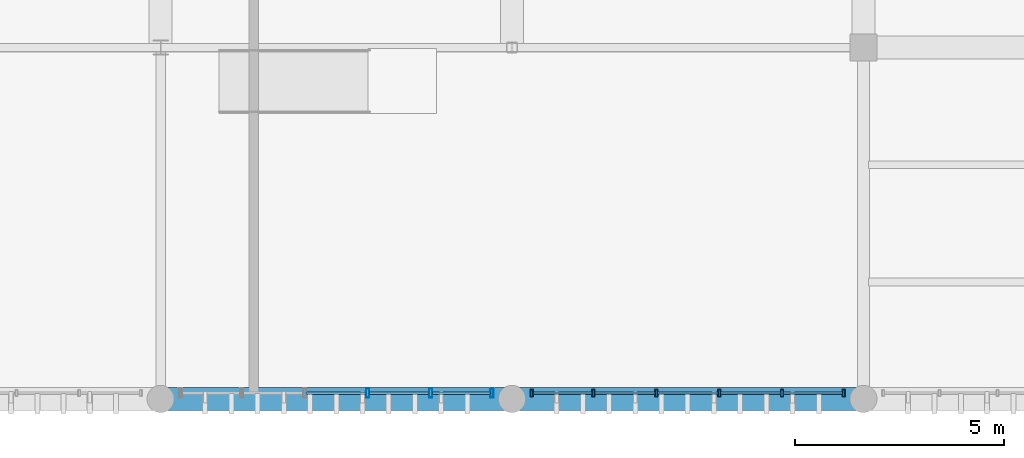
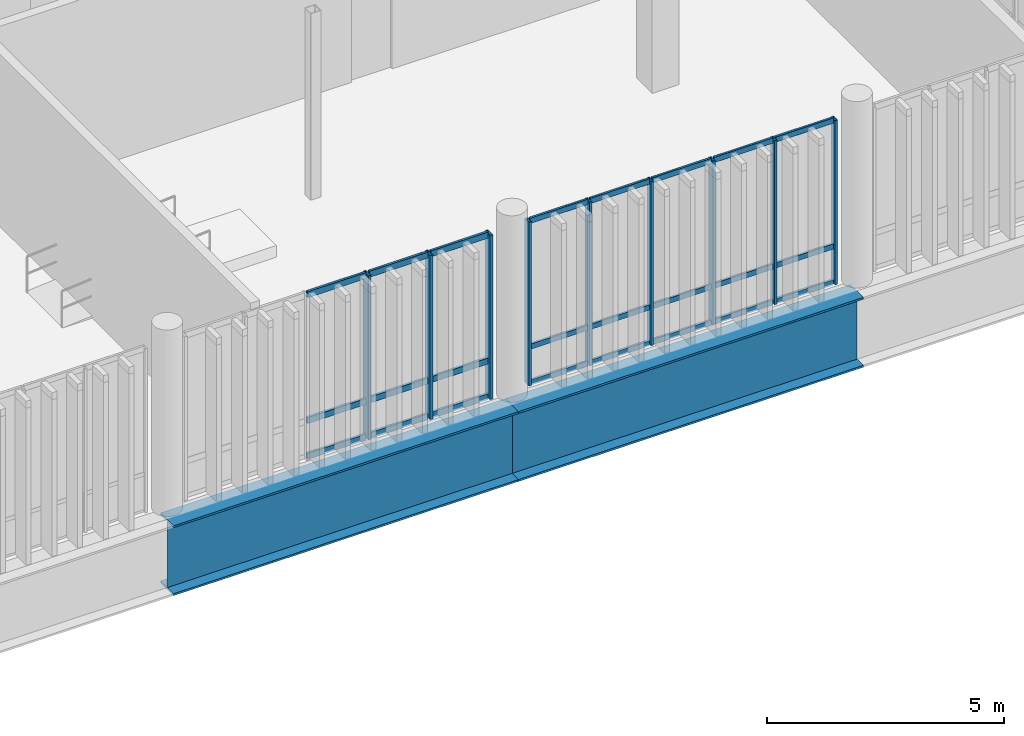
# One storey, part 10 of 81: 33 members, 2 beams, 2 elements without a shape of their own.
"""IFC4 building model written with IfcOpenShell, lengths in metres."""

from ifc_helpers import new_model, si_unit, direction, frame, origin_with_axes, origin_2d_with_axis, place, context, subcontext, project, spatial, hollow_rectangle, i_section, extrude, material, material_profile, profile_set, type_object, element, aggregate, save


model = new_model("IFC4")

# Units and contexts
model_context = context("Model", 3, precision=1e-05, world=origin_with_axes(), true_north=direction((0.0, 1.0)))
body_context = subcontext(model_context, "Body", "Model", "MODEL_VIEW")
ifc_project = project(units=[si_unit("LENGTHUNIT", "METRE"), si_unit("AREAUNIT", "SQUARE_METRE"), si_unit("VOLUMEUNIT", "CUBIC_METRE"), si_unit("PLANEANGLEUNIT", "RADIAN"), si_unit("MASSUNIT", "GRAM", prefix="KILO"), si_unit("THERMODYNAMICTEMPERATUREUNIT", "KELVIN")], contexts=[model_context])

# Site, building, storey
site_placement = place(None, origin_with_axes())
site = spatial("IfcSite", under=ifc_project, at=site_placement, CompositionType="ELEMENT")
building_placement = place(site_placement, origin_with_axes())
building = spatial("IfcBuilding", under=site, at=building_placement, Name="Montbau Bow Law Courts", CompositionType="ELEMENT")
storey_placement = place(building_placement, frame((0.0, 0.0, 24.9), z_axis=(0.0, 0.0, 1.0), x_axis=(1.0, 0.0, 0.0)))
storey = spatial("IfcBuildingStorey", under=building, at=storey_placement, Name="L05", CompositionType="ELEMENT", Elevation=24.9)

# Beams
ifc_material_1 = material(Name="Steel CSA G40.21 Grade 350WT (350 MPa)", Category="steel")
ifc_material_profile_1 = material_profile(ifc_material_1, i_section(OverallWidth=0.55, OverallDepth=1.8, WebThickness=0.022, FlangeThickness=0.05, at=origin_2d_with_axis()), Name="WWF1800X550", Category="Main", Priority=0)
ifc_profile_set_1 = profile_set([ifc_material_profile_1], Name="Steel CSA G40.21 Grade 350WT (350 MPa)")
beam_type = type_object("IfcBeamType", Name="B-TRG-01", PredefinedType="USERDEFINED", material=ifc_profile_set_1)
for number, where, z_axis, x_axis, name in (
    (1, (22.2, 30.6, 23.7), (1.0, 0.0, 0.0), (0.0, 1.0, 0.0), "TRG-L05-S0048:bm2_0051"),
    (2, (30.6, 30.6, 23.7), (1.0, 0.0, 0.0), (0.0, 1.0, 0.0), "TRG-L05-S0050:bm2_0053"),
):
    element("IfcBeam", number, at=place(None, frame(where, z_axis=z_axis, x_axis=x_axis)), inside=storey, type_object=beam_type, Name=name, ObjectType="GIRDER", PredefinedType="USERDEFINED", context=body_context, shape_type="SweptSolid", body=[
        extrude(i_section(OverallWidth=0.55, OverallDepth=1.8, WebThickness=0.022, FlangeThickness=0.05, at=origin_2d_with_axis()), origin_with_axes(), (0.0, 0.0, 1.0), 8.4),
    ])

# Curtain wall, members
ifc_material_2 = material(Name="Thermally Broken Extruded Aluminium AA 6063-T6", Category="aluminium")
curtain_wall_type = type_object("IfcCurtainWallType", Name="CW-TRC-02", PredefinedType="NOTDEFINED", material=ifc_material_2)
curtain_wall_1_placement = place(None, frame((22.64, 30.74, 24.9), z_axis=(0.0, 0.0, 1.0), x_axis=(1.0, 0.0, 0.0)))
curtain_wall_1 = element("IfcCurtainWall", 3, at=curtain_wall_1_placement, inside=storey, type_object=curtain_wall_type, Name="CW-L05-078:cw_0078", PredefinedType="NOTDEFINED")
ifc_material_profile_2 = material_profile(ifc_material_2, hollow_rectangle(XDim=0.075, YDim=0.22, WallThickness=0.005, InnerFilletRadius=0.01, OuterFilletRadius=0.005, at=origin_2d_with_axis()), Name="CWM-220X75", Category="Main", Priority=0)
ifc_profile_set_2 = profile_set([ifc_material_profile_2], Name="Thermally Broken Extruded Aluminium AA 6063-T6")
member_type_1 = type_object("IfcMemberType", Name="M-MUL-01", PredefinedType="MULLION", material=ifc_profile_set_2)
member_1_placement = place(None, frame((27.152, 30.74, 24.9), z_axis=(0.0, 0.0, 1.0), x_axis=(1.0, 0.0, 0.0)))
member_1 = element("IfcMember", 4, at=member_1_placement, type_object=member_type_1, Name="CW-L05-078-M04:cw_0078_M04", PredefinedType="MULLION", context=body_context, shape_type="SweptSolid", body=[
    extrude(hollow_rectangle(XDim=0.075, YDim=0.22, WallThickness=0.005, InnerFilletRadius=0.01, OuterFilletRadius=0.005, at=origin_2d_with_axis()), origin_with_axes(), (0.0, 0.0, 1.0), 4.22),
])
member_2_placement = place(None, frame((28.656, 30.74, 24.9), z_axis=(0.0, 0.0, 1.0), x_axis=(1.0, 0.0, 0.0)))
member_2 = element("IfcMember", 5, at=member_2_placement, type_object=member_type_1, Name="CW-L05-078-M05:cw_0078_M05", PredefinedType="MULLION", context=body_context, shape_type="SweptSolid", body=[
    extrude(hollow_rectangle(XDim=0.075, YDim=0.22, WallThickness=0.005, InnerFilletRadius=0.01, OuterFilletRadius=0.005, at=origin_2d_with_axis()), origin_with_axes(), (0.0, 0.0, 1.0), 4.22),
])
member_3_placement = place(None, frame((30.122, 30.74, 24.9), z_axis=(0.0, 0.0, 1.0), x_axis=(1.0, 0.0, 0.0)))
member_3 = element("IfcMember", 6, at=member_3_placement, type_object=member_type_1, Name="CW-L05-078-M06:cw_0078_M06", PredefinedType="MULLION", context=body_context, shape_type="SweptSolid", body=[
    extrude(hollow_rectangle(XDim=0.075, YDim=0.22, WallThickness=0.005, InnerFilletRadius=0.01, OuterFilletRadius=0.005, at=origin_2d_with_axis()), origin_with_axes(), (0.0, 0.0, 1.0), 4.22),
])

curtain_wall_2_placement = place(None, frame((31.04, 30.74, 24.9), z_axis=(0.0, 0.0, 1.0), x_axis=(1.0, 0.0, 0.0)))
curtain_wall_2 = element("IfcCurtainWall", 7, at=curtain_wall_2_placement, inside=storey, type_object=curtain_wall_type, Name="CW-L05-079:cw_0079", PredefinedType="NOTDEFINED")
ifc_material_profile_3 = material_profile(ifc_material_2, hollow_rectangle(XDim=0.065, YDim=0.18, WallThickness=0.005, InnerFilletRadius=0.01, OuterFilletRadius=0.005, at=origin_2d_with_axis()), Name="CWM-180X65", Category="Main", Priority=0)
ifc_profile_set_3 = profile_set([ifc_material_profile_3], Name="Thermally Broken Extruded Aluminium AA 6063-T6")
member_type_2 = type_object("IfcMemberType", Name="M-MUL-02", PredefinedType="MULLION", material=ifc_profile_set_3)
member_4_placement = place(None, frame((31.073, 30.74, 24.9), z_axis=(0.0, 0.0, 1.0), x_axis=(1.0, 0.0, 0.0)))
member_4 = element("IfcMember", 8, at=member_4_placement, type_object=member_type_2, Name="CW-L05-079-M01:cw_0079_M01", PredefinedType="MULLION", context=body_context, shape_type="SweptSolid", body=[
    extrude(hollow_rectangle(XDim=0.065, YDim=0.18, WallThickness=0.005, InnerFilletRadius=0.01, OuterFilletRadius=0.005, at=origin_2d_with_axis()), origin_with_axes(), (0.0, 0.0, 1.0), 4.22),
])
member_5_placement = place(None, frame((32.544, 30.74, 24.9), z_axis=(0.0, 0.0, 1.0), x_axis=(1.0, 0.0, 0.0)))
member_5 = element("IfcMember", 9, at=member_5_placement, type_object=member_type_2, Name="CW-L05-079-M02:cw_0079_M02", PredefinedType="MULLION", context=body_context, shape_type="SweptSolid", body=[
    extrude(hollow_rectangle(XDim=0.065, YDim=0.18, WallThickness=0.005, InnerFilletRadius=0.01, OuterFilletRadius=0.005, at=origin_2d_with_axis()), origin_with_axes(), (0.0, 0.0, 1.0), 4.22),
])
member_6_placement = place(None, frame((34.048, 30.74, 24.9), z_axis=(0.0, 0.0, 1.0), x_axis=(1.0, 0.0, 0.0)))
member_6 = element("IfcMember", 10, at=member_6_placement, type_object=member_type_2, Name="CW-L05-079-M03:cw_0079_M03", PredefinedType="MULLION", context=body_context, shape_type="SweptSolid", body=[
    extrude(hollow_rectangle(XDim=0.065, YDim=0.18, WallThickness=0.005, InnerFilletRadius=0.01, OuterFilletRadius=0.005, at=origin_2d_with_axis()), origin_with_axes(), (0.0, 0.0, 1.0), 4.22),
])
member_7_placement = place(None, frame((35.552, 30.74, 24.9), z_axis=(0.0, 0.0, 1.0), x_axis=(1.0, 0.0, 0.0)))
member_7 = element("IfcMember", 11, at=member_7_placement, type_object=member_type_2, Name="CW-L05-079-M04:cw_0079_M04", PredefinedType="MULLION", context=body_context, shape_type="SweptSolid", body=[
    extrude(hollow_rectangle(XDim=0.065, YDim=0.18, WallThickness=0.005, InnerFilletRadius=0.01, OuterFilletRadius=0.005, at=origin_2d_with_axis()), origin_with_axes(), (0.0, 0.0, 1.0), 4.22),
])
member_8_placement = place(None, frame((37.056, 30.74, 24.9), z_axis=(0.0, 0.0, 1.0), x_axis=(1.0, 0.0, 0.0)))
member_8 = element("IfcMember", 12, at=member_8_placement, type_object=member_type_2, Name="CW-L05-079-M05:cw_0079_M05", PredefinedType="MULLION", context=body_context, shape_type="SweptSolid", body=[
    extrude(hollow_rectangle(XDim=0.065, YDim=0.18, WallThickness=0.005, InnerFilletRadius=0.01, OuterFilletRadius=0.005, at=origin_2d_with_axis()), origin_with_axes(), (0.0, 0.0, 1.0), 4.22),
])
member_9_placement = place(None, frame((38.528, 30.74, 24.9), z_axis=(0.0, 0.0, 1.0), x_axis=(1.0, 0.0, 0.0)))
member_9 = element("IfcMember", 13, at=member_9_placement, type_object=member_type_2, Name="CW-L05-079-M06:cw_0079_M06", PredefinedType="MULLION", context=body_context, shape_type="SweptSolid", body=[
    extrude(hollow_rectangle(XDim=0.065, YDim=0.18, WallThickness=0.005, InnerFilletRadius=0.01, OuterFilletRadius=0.005, at=origin_2d_with_axis()), origin_with_axes(), (0.0, 0.0, 1.0), 4.22),
])

# Member
ifc_material_profile_4 = material_profile(ifc_material_2, hollow_rectangle(XDim=0.06, YDim=0.16, WallThickness=0.004, InnerFilletRadius=0.008, OuterFilletRadius=0.004, at=origin_2d_with_axis()), Name="CWT-160X60", Category="Main", Priority=0)
ifc_profile_set_4 = profile_set([ifc_material_profile_4], Name="Thermally Broken Extruded Aluminium AA 6063-T6")
member_type_3 = type_object("IfcMemberType", Name="M-TRN-01", PredefinedType="USERDEFINED", material=ifc_profile_set_4)
member_10_placement = place(None, frame((25.687, 30.74, 24.93), z_axis=(1.0, 0.0, 0.0), x_axis=(0.0, 1.0, 0.0)))
member_10 = element("IfcMember", 14, at=member_10_placement, type_object=member_type_3, Name="CW-L05-078-T03-1:cw_0078_T03_1", ObjectType="TRANSOM", PredefinedType="USERDEFINED", context=body_context, shape_type="SweptSolid", body=[
    extrude(hollow_rectangle(XDim=0.06, YDim=0.16, WallThickness=0.004, InnerFilletRadius=0.008, OuterFilletRadius=0.004, at=origin_2d_with_axis()), origin_with_axes(), (0.0, 0.0, 1.0), 1.426),
])

member_11_placement = place(None, frame((25.687, 30.74, 25.85), z_axis=(1.0, 0.0, 0.0), x_axis=(0.0, 1.0, 0.0)))
member_11 = element("IfcMember", 15, at=member_11_placement, type_object=member_type_3, Name="CW-L05-078-T03-2:cw_0078_T03_2", ObjectType="TRANSOM", PredefinedType="USERDEFINED", context=body_context, shape_type="SweptSolid", body=[
    extrude(hollow_rectangle(XDim=0.06, YDim=0.16, WallThickness=0.004, InnerFilletRadius=0.008, OuterFilletRadius=0.004, at=origin_2d_with_axis()), origin_with_axes(), (0.0, 0.0, 1.0), 1.426),
])

member_12_placement = place(None, frame((25.687, 30.74, 29.09), z_axis=(1.0, 0.0, 0.0), x_axis=(0.0, 1.0, 0.0)))
member_12 = element("IfcMember", 16, at=member_12_placement, type_object=member_type_3, Name="CW-L05-078-T03-3:cw_0078_T03_3", ObjectType="TRANSOM", PredefinedType="USERDEFINED", context=body_context, shape_type="SweptSolid", body=[
    extrude(hollow_rectangle(XDim=0.06, YDim=0.16, WallThickness=0.004, InnerFilletRadius=0.008, OuterFilletRadius=0.004, at=origin_2d_with_axis()), origin_with_axes(), (0.0, 0.0, 1.0), 1.426),
])

member_13_placement = place(None, frame((27.191, 30.74, 24.93), z_axis=(1.0, 0.0, 0.0), x_axis=(0.0, 1.0, 0.0)))
member_13 = element("IfcMember", 17, at=member_13_placement, type_object=member_type_3, Name="CW-L05-078-T04-1:cw_0078_T04_1", ObjectType="TRANSOM", PredefinedType="USERDEFINED", context=body_context, shape_type="SweptSolid", body=[
    extrude(hollow_rectangle(XDim=0.06, YDim=0.16, WallThickness=0.004, InnerFilletRadius=0.008, OuterFilletRadius=0.004, at=origin_2d_with_axis()), origin_with_axes(), (0.0, 0.0, 1.0), 1.426),
])

member_14_placement = place(None, frame((27.191, 30.74, 25.85), z_axis=(1.0, 0.0, 0.0), x_axis=(0.0, 1.0, 0.0)))
member_14 = element("IfcMember", 18, at=member_14_placement, type_object=member_type_3, Name="CW-L05-078-T04-2:cw_0078_T04_2", ObjectType="TRANSOM", PredefinedType="USERDEFINED", context=body_context, shape_type="SweptSolid", body=[
    extrude(hollow_rectangle(XDim=0.06, YDim=0.16, WallThickness=0.004, InnerFilletRadius=0.008, OuterFilletRadius=0.004, at=origin_2d_with_axis()), origin_with_axes(), (0.0, 0.0, 1.0), 1.426),
])

member_15_placement = place(None, frame((27.191, 30.74, 29.09), z_axis=(1.0, 0.0, 0.0), x_axis=(0.0, 1.0, 0.0)))
member_15 = element("IfcMember", 19, at=member_15_placement, type_object=member_type_3, Name="CW-L05-078-T04-3:cw_0078_T04_3", ObjectType="TRANSOM", PredefinedType="USERDEFINED", context=body_context, shape_type="SweptSolid", body=[
    extrude(hollow_rectangle(XDim=0.06, YDim=0.16, WallThickness=0.004, InnerFilletRadius=0.008, OuterFilletRadius=0.004, at=origin_2d_with_axis()), origin_with_axes(), (0.0, 0.0, 1.0), 1.426),
])

member_16_placement = place(None, frame((28.695, 30.74, 24.93), z_axis=(1.0, 0.0, 0.0), x_axis=(0.0, 1.0, 0.0)))
member_16 = element("IfcMember", 20, at=member_16_placement, type_object=member_type_3, Name="CW-L05-078-T05-1:cw_0078_T05_1", ObjectType="TRANSOM", PredefinedType="USERDEFINED", context=body_context, shape_type="SweptSolid", body=[
    extrude(hollow_rectangle(XDim=0.06, YDim=0.16, WallThickness=0.004, InnerFilletRadius=0.008, OuterFilletRadius=0.004, at=origin_2d_with_axis()), origin_with_axes(), (0.0, 0.0, 1.0), 1.388),
])

member_17_placement = place(None, frame((28.695, 30.74, 25.85), z_axis=(1.0, 0.0, 0.0), x_axis=(0.0, 1.0, 0.0)))
member_17 = element("IfcMember", 21, at=member_17_placement, type_object=member_type_3, Name="CW-L05-078-T05-2:cw_0078_T05_2", ObjectType="TRANSOM", PredefinedType="USERDEFINED", context=body_context, shape_type="SweptSolid", body=[
    extrude(hollow_rectangle(XDim=0.06, YDim=0.16, WallThickness=0.004, InnerFilletRadius=0.008, OuterFilletRadius=0.004, at=origin_2d_with_axis()), origin_with_axes(), (0.0, 0.0, 1.0), 1.388),
])

member_18_placement = place(None, frame((28.695, 30.74, 29.09), z_axis=(1.0, 0.0, 0.0), x_axis=(0.0, 1.0, 0.0)))
member_18 = element("IfcMember", 22, at=member_18_placement, type_object=member_type_3, Name="CW-L05-078-T05-3:cw_0078_T05_3", ObjectType="TRANSOM", PredefinedType="USERDEFINED", context=body_context, shape_type="SweptSolid", body=[
    extrude(hollow_rectangle(XDim=0.06, YDim=0.16, WallThickness=0.004, InnerFilletRadius=0.008, OuterFilletRadius=0.004, at=origin_2d_with_axis()), origin_with_axes(), (0.0, 0.0, 1.0), 1.388),
])

aggregate(curtain_wall_1, [member_1, member_2, member_3, member_10, member_11, member_12, member_13, member_14, member_15, member_16, member_17, member_18])

ifc_material_profile_5 = material_profile(ifc_material_2, hollow_rectangle(XDim=0.055, YDim=0.14, WallThickness=0.004, InnerFilletRadius=0.008, OuterFilletRadius=0.004, at=origin_2d_with_axis()), Name="CWT-140X55", Category="Main", Priority=0)
ifc_profile_set_5 = profile_set([ifc_material_profile_5], Name="Thermally Broken Extruded Aluminium AA 6063-T6")
member_type_4 = type_object("IfcMemberType", Name="M-TRN-02", PredefinedType="USERDEFINED", material=ifc_profile_set_5)
member_19_placement = place(None, frame((31.108, 30.74, 24.927), z_axis=(1.0, 0.0, 0.0), x_axis=(0.0, 1.0, 0.0)))
member_19 = element("IfcMember", 23, at=member_19_placement, type_object=member_type_4, Name="CW-L05-079-T01-1:cw_0079_T01_1", ObjectType="TRANSOM", PredefinedType="USERDEFINED", context=body_context, shape_type="SweptSolid", body=[
    extrude(hollow_rectangle(XDim=0.055, YDim=0.14, WallThickness=0.004, InnerFilletRadius=0.008, OuterFilletRadius=0.004, at=origin_2d_with_axis()), origin_with_axes(), (0.0, 0.0, 1.0), 1.402),
])

member_20_placement = place(None, frame((31.108, 30.74, 25.85), z_axis=(1.0, 0.0, 0.0), x_axis=(0.0, 1.0, 0.0)))
member_20 = element("IfcMember", 24, at=member_20_placement, type_object=member_type_4, Name="CW-L05-079-T01-2:cw_0079_T01_2", ObjectType="TRANSOM", PredefinedType="USERDEFINED", context=body_context, shape_type="SweptSolid", body=[
    extrude(hollow_rectangle(XDim=0.055, YDim=0.14, WallThickness=0.004, InnerFilletRadius=0.008, OuterFilletRadius=0.004, at=origin_2d_with_axis()), origin_with_axes(), (0.0, 0.0, 1.0), 1.402),
])

member_21_placement = place(None, frame((31.108, 30.74, 29.093), z_axis=(1.0, 0.0, 0.0), x_axis=(0.0, 1.0, 0.0)))
member_21 = element("IfcMember", 25, at=member_21_placement, type_object=member_type_4, Name="CW-L05-079-T01-3:cw_0079_T01_3", ObjectType="TRANSOM", PredefinedType="USERDEFINED", context=body_context, shape_type="SweptSolid", body=[
    extrude(hollow_rectangle(XDim=0.055, YDim=0.14, WallThickness=0.004, InnerFilletRadius=0.008, OuterFilletRadius=0.004, at=origin_2d_with_axis()), origin_with_axes(), (0.0, 0.0, 1.0), 1.402),
])

member_22_placement = place(None, frame((32.578, 30.74, 24.927), z_axis=(1.0, 0.0, 0.0), x_axis=(0.0, 1.0, 0.0)))
member_22 = element("IfcMember", 26, at=member_22_placement, type_object=member_type_4, Name="CW-L05-079-T02-1:cw_0079_T02_1", ObjectType="TRANSOM", PredefinedType="USERDEFINED", context=body_context, shape_type="SweptSolid", body=[
    extrude(hollow_rectangle(XDim=0.055, YDim=0.14, WallThickness=0.004, InnerFilletRadius=0.008, OuterFilletRadius=0.004, at=origin_2d_with_axis()), origin_with_axes(), (0.0, 0.0, 1.0), 1.436),
])

member_23_placement = place(None, frame((32.578, 30.74, 25.85), z_axis=(1.0, 0.0, 0.0), x_axis=(0.0, 1.0, 0.0)))
member_23 = element("IfcMember", 27, at=member_23_placement, type_object=member_type_4, Name="CW-L05-079-T02-2:cw_0079_T02_2", ObjectType="TRANSOM", PredefinedType="USERDEFINED", context=body_context, shape_type="SweptSolid", body=[
    extrude(hollow_rectangle(XDim=0.055, YDim=0.14, WallThickness=0.004, InnerFilletRadius=0.008, OuterFilletRadius=0.004, at=origin_2d_with_axis()), origin_with_axes(), (0.0, 0.0, 1.0), 1.436),
])

member_24_placement = place(None, frame((32.578, 30.74, 29.093), z_axis=(1.0, 0.0, 0.0), x_axis=(0.0, 1.0, 0.0)))
member_24 = element("IfcMember", 28, at=member_24_placement, type_object=member_type_4, Name="CW-L05-079-T02-3:cw_0079_T02_3", ObjectType="TRANSOM", PredefinedType="USERDEFINED", context=body_context, shape_type="SweptSolid", body=[
    extrude(hollow_rectangle(XDim=0.055, YDim=0.14, WallThickness=0.004, InnerFilletRadius=0.008, OuterFilletRadius=0.004, at=origin_2d_with_axis()), origin_with_axes(), (0.0, 0.0, 1.0), 1.436),
])

member_25_placement = place(None, frame((34.082, 30.74, 24.927), z_axis=(1.0, 0.0, 0.0), x_axis=(0.0, 1.0, 0.0)))
member_25 = element("IfcMember", 29, at=member_25_placement, type_object=member_type_4, Name="CW-L05-079-T03-1:cw_0079_T03_1", ObjectType="TRANSOM", PredefinedType="USERDEFINED", context=body_context, shape_type="SweptSolid", body=[
    extrude(hollow_rectangle(XDim=0.055, YDim=0.14, WallThickness=0.004, InnerFilletRadius=0.008, OuterFilletRadius=0.004, at=origin_2d_with_axis()), origin_with_axes(), (0.0, 0.0, 1.0), 1.436),
])

member_26_placement = place(None, frame((34.082, 30.74, 25.85), z_axis=(1.0, 0.0, 0.0), x_axis=(0.0, 1.0, 0.0)))
member_26 = element("IfcMember", 30, at=member_26_placement, type_object=member_type_4, Name="CW-L05-079-T03-2:cw_0079_T03_2", ObjectType="TRANSOM", PredefinedType="USERDEFINED", context=body_context, shape_type="SweptSolid", body=[
    extrude(hollow_rectangle(XDim=0.055, YDim=0.14, WallThickness=0.004, InnerFilletRadius=0.008, OuterFilletRadius=0.004, at=origin_2d_with_axis()), origin_with_axes(), (0.0, 0.0, 1.0), 1.436),
])

member_27_placement = place(None, frame((34.082, 30.74, 29.093), z_axis=(1.0, 0.0, 0.0), x_axis=(0.0, 1.0, 0.0)))
member_27 = element("IfcMember", 31, at=member_27_placement, type_object=member_type_4, Name="CW-L05-079-T03-3:cw_0079_T03_3", ObjectType="TRANSOM", PredefinedType="USERDEFINED", context=body_context, shape_type="SweptSolid", body=[
    extrude(hollow_rectangle(XDim=0.055, YDim=0.14, WallThickness=0.004, InnerFilletRadius=0.008, OuterFilletRadius=0.004, at=origin_2d_with_axis()), origin_with_axes(), (0.0, 0.0, 1.0), 1.436),
])

member_28_placement = place(None, frame((35.586, 30.74, 24.927), z_axis=(1.0, 0.0, 0.0), x_axis=(0.0, 1.0, 0.0)))
member_28 = element("IfcMember", 32, at=member_28_placement, type_object=member_type_4, Name="CW-L05-079-T04-1:cw_0079_T04_1", ObjectType="TRANSOM", PredefinedType="USERDEFINED", context=body_context, shape_type="SweptSolid", body=[
    extrude(hollow_rectangle(XDim=0.055, YDim=0.14, WallThickness=0.004, InnerFilletRadius=0.008, OuterFilletRadius=0.004, at=origin_2d_with_axis()), origin_with_axes(), (0.0, 0.0, 1.0), 1.436),
])

member_29_placement = place(None, frame((35.586, 30.74, 25.85), z_axis=(1.0, 0.0, 0.0), x_axis=(0.0, 1.0, 0.0)))
member_29 = element("IfcMember", 33, at=member_29_placement, type_object=member_type_4, Name="CW-L05-079-T04-2:cw_0079_T04_2", ObjectType="TRANSOM", PredefinedType="USERDEFINED", context=body_context, shape_type="SweptSolid", body=[
    extrude(hollow_rectangle(XDim=0.055, YDim=0.14, WallThickness=0.004, InnerFilletRadius=0.008, OuterFilletRadius=0.004, at=origin_2d_with_axis()), origin_with_axes(), (0.0, 0.0, 1.0), 1.436),
])

member_30_placement = place(None, frame((35.586, 30.74, 29.093), z_axis=(1.0, 0.0, 0.0), x_axis=(0.0, 1.0, 0.0)))
member_30 = element("IfcMember", 34, at=member_30_placement, type_object=member_type_4, Name="CW-L05-079-T04-3:cw_0079_T04_3", ObjectType="TRANSOM", PredefinedType="USERDEFINED", context=body_context, shape_type="SweptSolid", body=[
    extrude(hollow_rectangle(XDim=0.055, YDim=0.14, WallThickness=0.004, InnerFilletRadius=0.008, OuterFilletRadius=0.004, at=origin_2d_with_axis()), origin_with_axes(), (0.0, 0.0, 1.0), 1.436),
])

member_31_placement = place(None, frame((37.09, 30.74, 24.927), z_axis=(1.0, 0.0, 0.0), x_axis=(0.0, 1.0, 0.0)))
member_31 = element("IfcMember", 35, at=member_31_placement, type_object=member_type_4, Name="CW-L05-079-T05-1:cw_0079_T05_1", ObjectType="TRANSOM", PredefinedType="USERDEFINED", context=body_context, shape_type="SweptSolid", body=[
    extrude(hollow_rectangle(XDim=0.055, YDim=0.14, WallThickness=0.004, InnerFilletRadius=0.008, OuterFilletRadius=0.004, at=origin_2d_with_axis()), origin_with_axes(), (0.0, 0.0, 1.0), 1.404),
])

member_32_placement = place(None, frame((37.09, 30.74, 25.85), z_axis=(1.0, 0.0, 0.0), x_axis=(0.0, 1.0, 0.0)))
member_32 = element("IfcMember", 36, at=member_32_placement, type_object=member_type_4, Name="CW-L05-079-T05-2:cw_0079_T05_2", ObjectType="TRANSOM", PredefinedType="USERDEFINED", context=body_context, shape_type="SweptSolid", body=[
    extrude(hollow_rectangle(XDim=0.055, YDim=0.14, WallThickness=0.004, InnerFilletRadius=0.008, OuterFilletRadius=0.004, at=origin_2d_with_axis()), origin_with_axes(), (0.0, 0.0, 1.0), 1.404),
])

member_33_placement = place(None, frame((37.09, 30.74, 29.093), z_axis=(1.0, 0.0, 0.0), x_axis=(0.0, 1.0, 0.0)))
member_33 = element("IfcMember", 37, at=member_33_placement, type_object=member_type_4, Name="CW-L05-079-T05-3:cw_0079_T05_3", ObjectType="TRANSOM", PredefinedType="USERDEFINED", context=body_context, shape_type="SweptSolid", body=[
    extrude(hollow_rectangle(XDim=0.055, YDim=0.14, WallThickness=0.004, InnerFilletRadius=0.008, OuterFilletRadius=0.004, at=origin_2d_with_axis()), origin_with_axes(), (0.0, 0.0, 1.0), 1.404),
])

aggregate(curtain_wall_2, [member_4, member_5, member_6, member_7, member_8, member_9, member_19, member_20, member_21, member_22, member_23, member_24, member_25, member_26, member_27, member_28, member_29, member_30, member_31, member_32, member_33])

save(model, "model.ifc")
